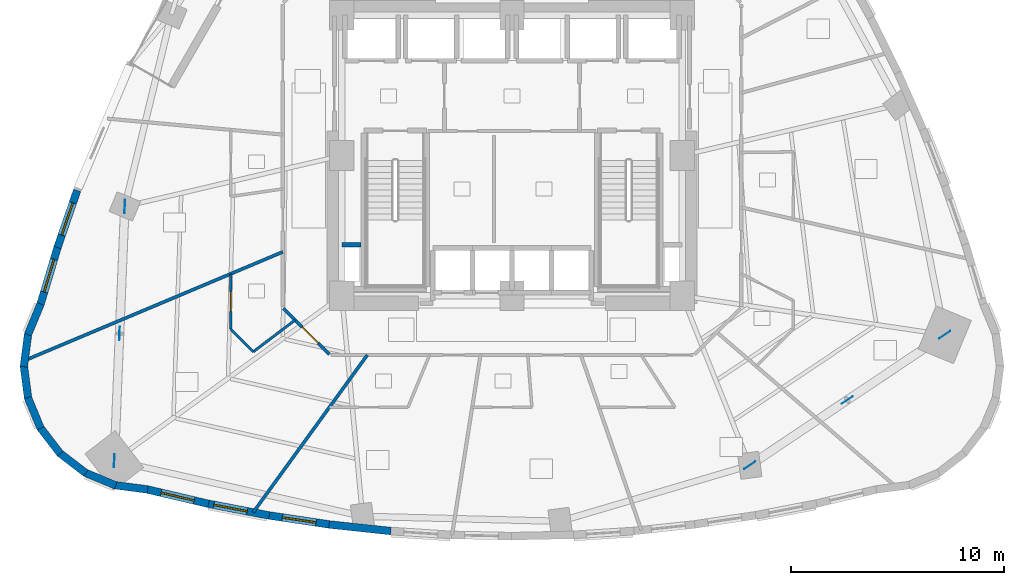
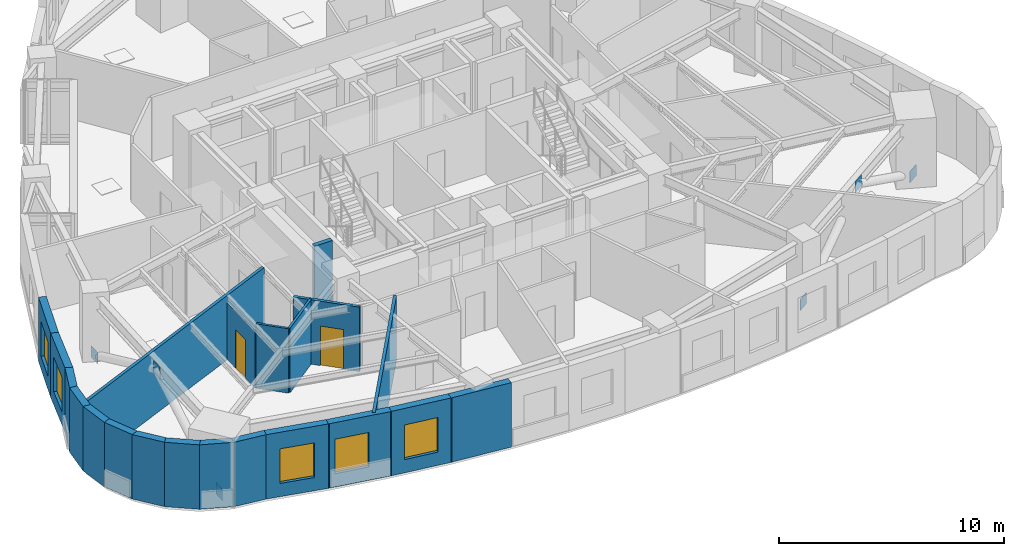
# One storey, part 5 of 13: 21 walls, 6 plates, 5 windows, 2 doors, 7 openings.
"""IFC4 building model written with IfcOpenShell, lengths in metres."""

from ifc_helpers import new_model, si_unit, direction, frame, frame_2d, origin, origin_2d, place, context, subcontext, project, spatial, rectangle, extrude, material, layer, layer_set, type_object, element, fill, save


model = new_model("IFC4")

# Units and contexts
model_context = context("Model", 3, precision=1e-05, world=origin(), true_north=direction((0.0, 1.0)))
body_context = subcontext(model_context, "Body", "Model", "MODEL_VIEW")
ifc_project = project(units=[si_unit("LENGTHUNIT", "METRE"), si_unit("AREAUNIT", "SQUARE_METRE"), si_unit("VOLUMEUNIT", "CUBIC_METRE"), si_unit("PLANEANGLEUNIT", "RADIAN"), si_unit("MASSUNIT", "GRAM", prefix="KILO")], contexts=[model_context])

# Site, building, storey
site_placement = place(None, origin())
site = spatial("IfcSite", under=ifc_project, at=site_placement, CompositionType="ELEMENT")
building_placement = place(site_placement, origin())
building = spatial("IfcBuilding", under=site, at=building_placement, Name="Ndelora Gate Hotel", CompositionType="ELEMENT")
storey_placement = place(building_placement, frame((0.0, 0.0, 34.25)))
storey = spatial("IfcBuildingStorey", under=building, at=storey_placement, Name="L07", CompositionType="ELEMENT", Elevation=34.25)

# Plates
ifc_material_1 = material(Name="Steel S355", Category="steel")
ifc_layer_1 = layer(ifc_material_1, 0.02001953125)
ifc_layer_set_1 = layer_set([ifc_layer_1], Name="Steel S355")
plate_type = type_object("IfcPlateType", Name="PL-NODE-VN1", PredefinedType="USERDEFINED", material=ifc_layer_set_1)
for number, where, z_axis, x_axis, name in (
    (1, (-18.207275390625, -2.39697265625, -0.2900390625), (0.0, 0.0, 1.0), (0.041352508522, 0.999144619181, 0.0), "Node gusset cap plate VN1"),
    (2, (-18.701904296875, -14.3505859375, -0.2900390625), (0.0, 0.0, 1.0), (0.041352508522, 0.999144619181, 0.0), "Node gusset cap plate VN1"),
    (3, (-18.45458984375, -8.373779296875, 2.639892578125), (0.0, 0.0, 1.0), (0.041352508522, 0.999144619181, 0.0), "Node gusset cap plate VN1"),
    (4, (11.179443359375, -14.5693359375, -0.2900390625), (0.0, 0.0, 1.0), (0.830984469274, 0.5562956155, 0.0), "Node gusset cap plate VN1"),
    (5, (20.35009765625, -8.42919921875, -0.2900390625), (0.0, 0.0, 1.0), (0.830984469274, 0.5562956155, 0.0), "Node gusset cap plate VN1"),
    (6, (15.764892578125, -11.499267578125, 2.639892578125), (0.0, 0.0, 1.0), (0.830984469274, 0.5562956155, 0.0), "Node gusset cap plate VN1"),
):
    element("IfcPlate", number, at=place(storey_placement, frame(where, z_axis=z_axis, x_axis=x_axis)), inside=storey, type_object=plate_type, Name=name, ObjectType="GUSSET_PLATE", PredefinedType="USERDEFINED", context=body_context, shape_type="SweptSolid", body=[
        extrude(rectangle(XDim=0.6201171875, YDim=0.02001953125, at=origin_2d()), origin(), (0.0, 0.0, 1.0), 0.6201171875),
    ])

# Wall, opening, window
ifc_material_2 = material(Name="Clay Brick Masonry", Category="masonry")
ifc_layer_2 = layer(ifc_material_2, 0.360107421875)
ifc_layer_set_2 = layer_set([ifc_layer_2], Name="Clay Brick Masonry")
wall_type_1 = type_object("IfcWallType", Name="WL-BRICK-360", PredefinedType="SOLIDWALL", material=ifc_layer_set_2)
wall_1_placement = place(storey_placement, frame((-21.373779296875, -4.32666015625, 0.0), z_axis=(0.0, 0.0, 1.0), x_axis=(0.325091754677, 0.945682478975, 0.0)))
wall_1 = element("IfcWall", 7, at=wall_1_placement, inside=storey, type_object=wall_type_1, Name="L07 Tower Brick Pier-and-Spandrel Wall TWR-17", PredefinedType="SOLIDWALL", context=body_context, shape_type="SweptSolid", body=[
    extrude(rectangle(XDim=2.84619140625, YDim=0.360107421875, at=frame_2d((1.423095703125, 0.0))), origin(), (0.0, 0.0, 1.0), 3.5),
])
opening_1_placement = place(wall_1_placement, frame((0.623046875, 0.0, 0.719970703125)))
opening_1 = element("IfcOpeningElement", 8, at=opening_1_placement, cuts=wall_1, Name="Opening W03", PredefinedType="OPENING", context=body_context, shape_type="SweptSolid", body=[
    extrude(rectangle(XDim=1.60009765625, YDim=1.8798828125, at=frame_2d((0.800048828125, 0.93994140625))), frame((0.0, 0.18994140625, 0.0), z_axis=(0.0, -1.0, 0.0), x_axis=(1.0, 0.0, 0.0)), (0.0, 0.0, 1.0), 0.380126953125),
])
ifc_material_3 = material(Name="Insulated Low-E Double Glazing in Bronze Aluminium Frame", Category="aluminium")
window_type_1 = type_object("IfcWindowType", Name="WN-CORN-2100", PartitioningType="SINGLE_PANEL", PredefinedType="WINDOW", material=ifc_material_3)
window_1_placement = place(opening_1_placement, origin())
window_1 = element("IfcWindow", 9, at=window_1_placement, inside=storey, type_object=window_type_1, Name="L07 Deep-Set Brick-Pier Window W03", OverallHeight=1.8798828125, OverallWidth=1.60009765625, PartitioningType="SINGLE_PANEL", PredefinedType="WINDOW", context=body_context, shape_type="SweptSolid", body=[
    extrude(rectangle(XDim=1.60009765625, YDim=1.8798828125, at=frame_2d((0.800048828125, 0.93994140625))), frame((0.0, 0.030029296875, 0.0), z_axis=(0.0, -1.0, 0.0), x_axis=(1.0, 0.0, 0.0)), (0.0, 0.0, 1.0), 0.06005859375),
])
fill(opening_1, window_1)

wall_2_placement = place(storey_placement, frame((-22.184326171875, -7.02783203125, 0.0), z_axis=(0.0, 0.0, 1.0), x_axis=(0.287784902043, 0.957695071594, 0.0)))
wall_2 = element("IfcWall", 10, at=wall_2_placement, inside=storey, type_object=wall_type_1, Name="L07 Tower Brick Pier-and-Spandrel Wall TWR-18", PredefinedType="SOLIDWALL", context=body_context, shape_type="SweptSolid", body=[
    extrude(rectangle(XDim=2.869873046875, YDim=0.360107421875, at=frame_2d((1.43505859375, 0.0))), origin(), (0.0, 0.0, 1.0), 3.5),
])
opening_2_placement = place(wall_2_placement, frame((0.635009765625, 0.0, 0.719970703125)))
opening_2 = element("IfcOpeningElement", 11, at=opening_2_placement, cuts=wall_2, Name="Opening W01", PredefinedType="OPENING", context=body_context, shape_type="SweptSolid", body=[
    extrude(rectangle(XDim=1.60009765625, YDim=1.8798828125, at=frame_2d((0.800048828125, 0.93994140625))), frame((0.0, 0.18994140625, 0.0), z_axis=(0.0, -1.0, 0.0), x_axis=(1.0, 0.0, 0.0)), (0.0, 0.0, 1.0), 0.380126953125),
])
window_type_2 = type_object("IfcWindowType", Name="WN-DEEP-1600", PartitioningType="SINGLE_PANEL", PredefinedType="WINDOW", material=ifc_material_3)
window_2_placement = place(opening_2_placement, origin())
window_2 = element("IfcWindow", 12, at=window_2_placement, inside=storey, type_object=window_type_2, Name="L07 Deep-Set Brick-Pier Window W01", OverallHeight=1.8798828125, OverallWidth=1.60009765625, PartitioningType="SINGLE_PANEL", PredefinedType="WINDOW", context=body_context, shape_type="SweptSolid", body=[
    extrude(rectangle(XDim=1.60009765625, YDim=1.8798828125, at=frame_2d((0.800048828125, 0.93994140625))), frame((0.0, 0.030029296875, 0.0), z_axis=(0.0, -1.0, 0.0), x_axis=(1.0, 0.0, 0.0)), (0.0, 0.0, 1.0), 0.06005859375),
])
fill(opening_2, window_2)

# Walls
for number, where, z_axis, x_axis, name in (
    (13, (-22.76611328125, -8.42578125, 0.0), (0.0, 0.0, 1.0), (0.382719393153, 0.923864636245, 0.0), "L07 Tower Brick Pier-and-Spandrel Wall TWR-19"),
    (14, (-22.95751953125, -9.9287109375, 0.0), (0.0, 0.0, 1.0), (0.130640235609, 0.991429840604, 0.0), "L07 Tower Brick Pier-and-Spandrel Wall TWR-20"),
    (15, (-22.753173828125, -11.429931640625, 0.0), (0.0, 0.0, 1.0), (-0.130640235609, 0.991429840604, 0.0), "L07 Tower Brick Pier-and-Spandrel Wall TWR-21"),
):
    element("IfcWall", number, at=place(storey_placement, frame(where, z_axis=z_axis, x_axis=x_axis)), inside=storey, type_object=wall_type_1, Name=name, PredefinedType="SOLIDWALL", context=body_context, shape_type="SweptSolid", body=[
        extrude(rectangle(XDim=1.564208984375, YDim=0.360107421875, at=frame_2d((0.7822265625, 0.0))), origin(), (0.0, 0.0, 1.0), 3.5),
    ])
wall_3_placement = place(storey_placement, frame((-22.16748046875, -12.826904296875, 0.0), z_axis=(0.0, 0.0, 1.0), x_axis=(-0.382774588958, 0.923841768945, 0.0)))
element("IfcWall", 16, at=wall_3_placement, inside=storey, type_object=wall_type_1, Name="L07 Tower Brick Pier-and-Spandrel Wall TWR-22", PredefinedType="SOLIDWALL", context=body_context, shape_type="SweptSolid", body=[
    extrude(rectangle(XDim=1.56396484375, YDim=0.360107421875, at=frame_2d((0.781982421875, 0.0))), origin(), (0.0, 0.0, 1.0), 3.5),
])
for number, where, z_axis, x_axis, name in (
    (17, (-21.239990234375, -14.02490234375, 0.0), (0.0, 0.0, 1.0), (-0.608903307772, 0.793244452729, 0.0), "L07 Tower Brick Pier-and-Spandrel Wall TWR-23"),
    (18, (-20.0341796875, -14.942138671875, 0.0), (0.0, 0.0, 1.0), (-0.793377694402, 0.608729688799, 0.0), "L07 Tower Brick Pier-and-Spandrel Wall TWR-24"),
    (19, (-18.632080078125, -15.515869140625, 0.0), (0.0, 0.0, 1.0), (-0.923864636245, 0.382719393153, 0.0), "L07 Tower Brick Pier-and-Spandrel Wall TWR-25"),
    (20, (-17.12939453125, -15.707275390625, 0.0), (0.0, 0.0, 1.0), (-0.991429840604, 0.130640235609, 0.0), "L07 Tower Brick Pier-and-Spandrel Wall TWR-26"),
):
    element("IfcWall", number, at=place(storey_placement, frame(where, z_axis=z_axis, x_axis=x_axis)), inside=storey, type_object=wall_type_1, Name=name, PredefinedType="SOLIDWALL", context=body_context, shape_type="SweptSolid", body=[
        extrude(rectangle(XDim=1.564208984375, YDim=0.360107421875, at=frame_2d((0.7822265625, 0.0))), origin(), (0.0, 0.0, 1.0), 3.5),
    ])

# Wall, opening, window
wall_4_placement = place(storey_placement, frame((-14.270751953125, -16.3818359375, 0.0), z_axis=(0.0, 0.0, 1.0), x_axis=(-0.973460028485, 0.228857101575, 0.0)))
wall_4 = element("IfcWall", 21, at=wall_4_placement, inside=storey, type_object=wall_type_1, Name="L07 Tower Brick Pier-and-Spandrel Wall TWR-27", PredefinedType="SOLIDWALL", context=body_context, shape_type="SweptSolid", body=[
    extrude(rectangle(XDim=2.987060546875, YDim=0.360107421875, at=frame_2d((1.49365234375, 0.0))), origin(), (0.0, 0.0, 1.0), 3.5),
])
opening_3_placement = place(wall_4_placement, frame((0.693603515625, 0.0, 0.719970703125)))
opening_3 = element("IfcOpeningElement", 22, at=opening_3_placement, cuts=wall_4, Name="Opening W01", PredefinedType="OPENING", context=body_context, shape_type="SweptSolid", body=[
    extrude(rectangle(XDim=1.60009765625, YDim=1.8798828125, at=frame_2d((0.800048828125, 0.93994140625))), frame((0.0, 0.18994140625, 0.0), z_axis=(0.0, -1.0, 0.0), x_axis=(1.0, 0.0, 0.0)), (0.0, 0.0, 1.0), 0.380126953125),
])
window_3_placement = place(opening_3_placement, origin())
window_3 = element("IfcWindow", 23, at=window_3_placement, inside=storey, type_object=window_type_2, Name="L07 Deep-Set Brick-Pier Window W01", OverallHeight=1.8798828125, OverallWidth=1.60009765625, PartitioningType="SINGLE_PANEL", PredefinedType="WINDOW", context=body_context, shape_type="SweptSolid", body=[
    extrude(rectangle(XDim=1.60009765625, YDim=1.8798828125, at=frame_2d((0.800048828125, 0.93994140625))), frame((0.0, 0.030029296875, 0.0), z_axis=(0.0, -1.0, 0.0), x_axis=(1.0, 0.0, 0.0)), (0.0, 0.0, 1.0), 0.06005859375),
])
fill(opening_3, window_3)

wall_5_placement = place(storey_placement, frame((-11.41162109375, -16.930908203125, 0.0), z_axis=(0.0, 0.0, 1.0), x_axis=(-0.981984682903, 0.188960531711, 0.0)))
wall_5 = element("IfcWall", 24, at=wall_5_placement, inside=storey, type_object=wall_type_1, Name="L07 Tower Brick Pier-and-Spandrel Wall TWR-28", PredefinedType="SOLIDWALL", context=body_context, shape_type="SweptSolid", body=[
    extrude(rectangle(XDim=2.96142578125, YDim=0.360107421875, at=frame_2d((1.480712890625, 0.0))), origin(), (0.0, 0.0, 1.0), 3.5),
])
opening_4_placement = place(wall_5_placement, frame((1.06005859375, 0.0, 0.719970703125)))
opening_4 = element("IfcOpeningElement", 25, at=opening_4_placement, cuts=wall_5, Name="Opening W01", PredefinedType="OPENING", context=body_context, shape_type="SweptSolid", body=[
    extrude(rectangle(XDim=1.60009765625, YDim=1.8798828125, at=frame_2d((0.800048828125, 0.93994140625))), frame((0.0, 0.18994140625, 0.0), z_axis=(0.0, -1.0, 0.0), x_axis=(1.0, 0.0, 0.0)), (0.0, 0.0, 1.0), 0.380126953125),
])
window_4_placement = place(opening_4_placement, origin())
window_4 = element("IfcWindow", 26, at=window_4_placement, inside=storey, type_object=window_type_2, Name="L07 Deep-Set Brick-Pier Window W01", OverallHeight=1.8798828125, OverallWidth=1.60009765625, PartitioningType="SINGLE_PANEL", PredefinedType="WINDOW", context=body_context, shape_type="SweptSolid", body=[
    extrude(rectangle(XDim=1.60009765625, YDim=1.8798828125, at=frame_2d((0.800048828125, 0.93994140625))), frame((0.0, 0.030029296875, 0.0), z_axis=(0.0, -1.0, 0.0), x_axis=(1.0, 0.0, 0.0)), (0.0, 0.0, 1.0), 0.06005859375),
])
fill(opening_4, window_4)

wall_6_placement = place(storey_placement, frame((-8.552490234375, -17.357666015625, 0.0), z_axis=(0.0, 0.0, 1.0), x_axis=(-0.988982587095, 0.148031896641, 0.0)))
wall_6 = element("IfcWall", 27, at=wall_6_placement, inside=storey, type_object=wall_type_1, Name="L07 Tower Brick Pier-and-Spandrel Wall TWR-29", PredefinedType="SOLIDWALL", context=body_context, shape_type="SweptSolid", body=[
    extrude(rectangle(XDim=2.940673828125, YDim=0.360107421875, at=frame_2d((1.47021484375, 0.0))), origin(), (0.0, 0.0, 1.0), 3.5),
])
opening_5_placement = place(wall_6_placement, frame((0.67041015625, 0.0, 0.719970703125)))
opening_5 = element("IfcOpeningElement", 28, at=opening_5_placement, cuts=wall_6, Name="Opening W03", PredefinedType="OPENING", context=body_context, shape_type="SweptSolid", body=[
    extrude(rectangle(XDim=1.60009765625, YDim=1.8798828125, at=frame_2d((0.800048828125, 0.93994140625))), frame((0.0, 0.18994140625, 0.0), z_axis=(0.0, -1.0, 0.0), x_axis=(1.0, 0.0, 0.0)), (0.0, 0.0, 1.0), 0.380126953125),
])
window_5_placement = place(opening_5_placement, origin())
window_5 = element("IfcWindow", 29, at=window_5_placement, inside=storey, type_object=window_type_1, Name="L07 Deep-Set Brick-Pier Window W03", OverallHeight=1.8798828125, OverallWidth=1.60009765625, PartitioningType="SINGLE_PANEL", PredefinedType="WINDOW", context=body_context, shape_type="SweptSolid", body=[
    extrude(rectangle(XDim=1.60009765625, YDim=1.8798828125, at=frame_2d((0.800048828125, 0.93994140625))), frame((0.0, 0.030029296875, 0.0), z_axis=(0.0, -1.0, 0.0), x_axis=(1.0, 0.0, 0.0)), (0.0, 0.0, 1.0), 0.06005859375),
])
fill(opening_5, window_5)

# Wall
wall_7_placement = place(storey_placement, frame((-5.693115234375, -17.662109375, 0.0), z_axis=(0.0, 0.0, 1.0), x_axis=(-0.994340996166, 0.106235508864, 0.0)))
element("IfcWall", 30, at=wall_7_placement, inside=storey, type_object=wall_type_1, Name="L07 Tower Brick Pier-and-Spandrel Wall TWR-30", PredefinedType="SOLIDWALL", context=body_context, shape_type="SweptSolid", body=[
    extrude(rectangle(XDim=2.925537109375, YDim=0.360107421875, at=frame_2d((1.462890625, 0.0))), origin(), (0.0, 0.0, 1.0), 3.5),
])

# Wall, opening, door
ifc_material_4 = material(Name="Fire-Rated Gypsum Stud Partition", Category="gypsum")
ifc_layer_3 = layer(ifc_material_4, 0.14990234375)
ifc_layer_set_3 = layer_set([ifc_layer_3], Name="Fire-Rated Gypsum Stud Partition")
wall_type_2 = type_object("IfcWallType", Name="WL-PART-150", PredefinedType="PARTITIONING", material=ifc_layer_set_3)
wall_8_placement = place(storey_placement, frame((-8.578369140625, -9.351806640625, 0.0), z_axis=(0.0, 0.0, 1.0), x_axis=(-0.707067066127, 0.707146494016, 0.0)))
wall_8 = element("IfcWall", 31, at=wall_8_placement, inside=storey, type_object=wall_type_2, Name="L07 Interior Wall IW-5", PredefinedType="PARTITIONING", context=body_context, shape_type="SweptSolid", body=[
    extrude(rectangle(XDim=3.07373046875, YDim=0.14990234375, at=frame_2d((1.536865234375, 0.0))), origin(), (0.0, 0.0, 1.0), 3.5),
])
opening_6_placement = place(wall_8_placement, frame((0.75390625, 0.0, 0.0)))
opening_6 = element("IfcOpeningElement", 32, at=opening_6_placement, cuts=wall_8, Name="Opening D07", PredefinedType="OPENING", context=body_context, shape_type="SweptSolid", body=[
    extrude(rectangle(XDim=1.06005859375, YDim=2.14990234375, at=frame_2d((0.530029296875, 1.074951171875))), frame((0.0, 0.0849609375, 0.0), z_axis=(0.0, -1.0, 0.0), x_axis=(1.0, 0.0, 0.0)), (0.0, 0.0, 1.0), 0.169921875),
])
ifc_material_5 = material(Name="Diplomatic Suite Acoustic Entrance Door", Category="wood")
door_type_1 = type_object("IfcDoorType", Name="DR-SUITE-1060", OperationType="SINGLE_SWING_LEFT", PredefinedType="DOOR", material=ifc_material_5)
door_1_placement = place(opening_6_placement, origin())
door_1 = element("IfcDoor", 33, at=door_1_placement, inside=storey, type_object=door_type_1, Name="L07 Twin Junior Suite 1005 Entrance Door", OperationType="SINGLE_SWING_LEFT", OverallHeight=2.14990234375, OverallWidth=1.06005859375, PredefinedType="DOOR", context=body_context, shape_type="SweptSolid", body=[
    extrude(rectangle(XDim=1.06005859375, YDim=2.14990234375, at=frame_2d((0.530029296875, 1.074951171875))), frame((0.0, 0.02490234375, 0.0), z_axis=(0.0, -1.0, 0.0), x_axis=(1.0, 0.0, 0.0)), (0.0, 0.0, 1.0), 0.050048828125),
])
fill(opening_6, door_1)

# Walls
wall_9_placement = place(storey_placement, frame((-10.780029296875, -4.53466796875, 0.0), z_axis=(0.0, 0.0, 1.0), x_axis=(-0.921767922979, -0.387742048489, 0.0)))
element("IfcWall", 34, at=wall_9_placement, inside=storey, type_object=wall_type_2, Name="L07 Interior Wall IW-5", PredefinedType="PARTITIONING", context=body_context, shape_type="SweptSolid", body=[
    extrude(rectangle(XDim=13.169677734375, YDim=0.14990234375, at=frame_2d((6.5849609375, 0.0))), origin(), (0.0, 0.0, 1.0), 3.5),
])
wall_10_placement = place(storey_placement, frame((-6.802490234375, -9.3798828125, 0.0), z_axis=(0.0, 0.0, 1.0), x_axis=(-0.58706335667, -0.809540990472, 0.0)))
element("IfcWall", 35, at=wall_10_placement, inside=storey, type_object=wall_type_2, Name="L07 Interior Wall IW-5", PredefinedType="PARTITIONING", context=body_context, shape_type="SweptSolid", body=[
    extrude(rectangle(XDim=9.146484375, YDim=0.14990234375, at=frame_2d((4.5732421875, 0.0))), origin(), (0.0, 0.0, 1.0), 3.5),
])
ifc_material_6 = material(Name="Concrete C40/50", Category="concrete")
ifc_layer_4 = layer(ifc_material_6, 0.219970703125)
ifc_layer_set_4 = layer_set([ifc_layer_4], Name="Concrete C40/50")
wall_type_3 = type_object("IfcWallType", Name="WL-SHAFT-220", PredefinedType="PARTITIONING", material=ifc_layer_set_4)
wall_11_placement = place(storey_placement, frame((-8.0, -4.199951171875, 0.0), z_axis=(0.0, 0.0, 1.0), x_axis=(1.0, 0.0, 0.0)))
element("IfcWall", 36, at=wall_11_placement, inside=storey, type_object=wall_type_3, Name="L07 Interior Wall IW-1", PredefinedType="PARTITIONING", context=body_context, shape_type="SweptSolid", body=[
    extrude(rectangle(XDim=0.909912109375, YDim=0.219970703125, at=frame_2d((0.455078125, 0.0))), origin(), (0.0, 0.0, 1.0), 3.5),
])
ifc_material_7 = material(Name="Moisture-Resistant Bathroom Tile Partition", Category="gypsum")
ifc_layer_5 = layer(ifc_material_7, 0.1201171875)
ifc_layer_set_5 = layer_set([ifc_layer_5], Name="Moisture-Resistant Bathroom Tile Partition")
wall_type_4 = type_object("IfcWallType", Name="WL-WET-120", PredefinedType="PARTITIONING", material=ifc_layer_set_5)
wall_12_placement = place(storey_placement, frame((-12.166015625, -9.228759765625, 0.0), z_axis=(0.0, 0.0, 1.0), x_axis=(0.796694549239, 0.604382159906, 0.0)))
element("IfcWall", 37, at=wall_12_placement, inside=storey, type_object=wall_type_4, Name="L07 Interior Wall IW-7", PredefinedType="PARTITIONING", context=body_context, shape_type="SweptSolid", body=[
    extrude(rectangle(XDim=2.472900390625, YDim=0.1201171875, at=frame_2d((1.236328125, 0.0))), origin(), (0.0, 0.0, 1.0), 3.5),
])
wall_13_placement = place(storey_placement, frame((-12.166015625, -9.228759765625, 0.0), z_axis=(0.0, 0.0, 1.0), x_axis=(-0.707106781187, 0.707106781187, 0.0)))
element("IfcWall", 38, at=wall_13_placement, inside=storey, type_object=wall_type_4, Name="L07 Interior Wall IW-7", PredefinedType="PARTITIONING", context=body_context, shape_type="SweptSolid", body=[
    extrude(rectangle(XDim=1.504638671875, YDim=0.1201171875, at=frame_2d((0.75244140625, 0.0))), origin(), (0.0, 0.0, 1.0), 3.5),
])

# Wall, opening, door
wall_14_placement = place(storey_placement, frame((-13.22998046875, -8.164794921875, 0.0), z_axis=(0.0, 0.0, 1.0), x_axis=(0.0, 1.0, 0.0)))
wall_14 = element("IfcWall", 39, at=wall_14_placement, inside=storey, type_object=wall_type_4, Name="L07 Interior Wall IW-7", PredefinedType="PARTITIONING", context=body_context, shape_type="SweptSolid", body=[
    extrude(rectangle(XDim=2.599609375, YDim=0.1201171875, at=frame_2d((1.2998046875, 0.0))), origin(), (0.0, 0.0, 1.0), 3.1201171875),
])
opening_7_placement = place(wall_14_placement, frame((0.839599609375, 0.0, 0.0)))
opening_7 = element("IfcOpeningElement", 40, at=opening_7_placement, cuts=wall_14, Name="Opening D03", PredefinedType="OPENING", context=body_context, shape_type="SweptSolid", body=[
    extrude(rectangle(XDim=0.919921875, YDim=2.10009765625, at=frame_2d((0.4599609375, 1.050048828125))), frame((0.0, 0.070068359375, 0.0), z_axis=(0.0, -1.0, 0.0), x_axis=(1.0, 0.0, 0.0)), (0.0, 0.0, 1.0), 0.14013671875),
])
ifc_material_8 = material(Name="Moisture-Resistant Hardwood En-Suite Door", Category="wood")
door_type_2 = type_object("IfcDoorType", Name="DR-BATH-920", OperationType="SINGLE_SWING_LEFT", PredefinedType="DOOR", material=ifc_material_8)
door_2_placement = place(opening_7_placement, origin())
door_2 = element("IfcDoor", 41, at=door_2_placement, inside=storey, type_object=door_type_2, Name="L07 En-suite Bathroom 1005 Door", OperationType="SINGLE_SWING_RIGHT", OverallHeight=2.10009765625, OverallWidth=0.919921875, PredefinedType="DOOR", context=body_context, shape_type="SweptSolid", body=[
    extrude(rectangle(XDim=0.919921875, YDim=2.10009765625, at=frame_2d((0.4599609375, 1.050048828125))), frame((0.0, 0.02490234375, 0.0), z_axis=(0.0, -1.0, 0.0), x_axis=(1.0, 0.0, 0.0)), (0.0, 0.0, 1.0), 0.050048828125),
])
fill(opening_7, door_2)

save(model, "model.ifc")
